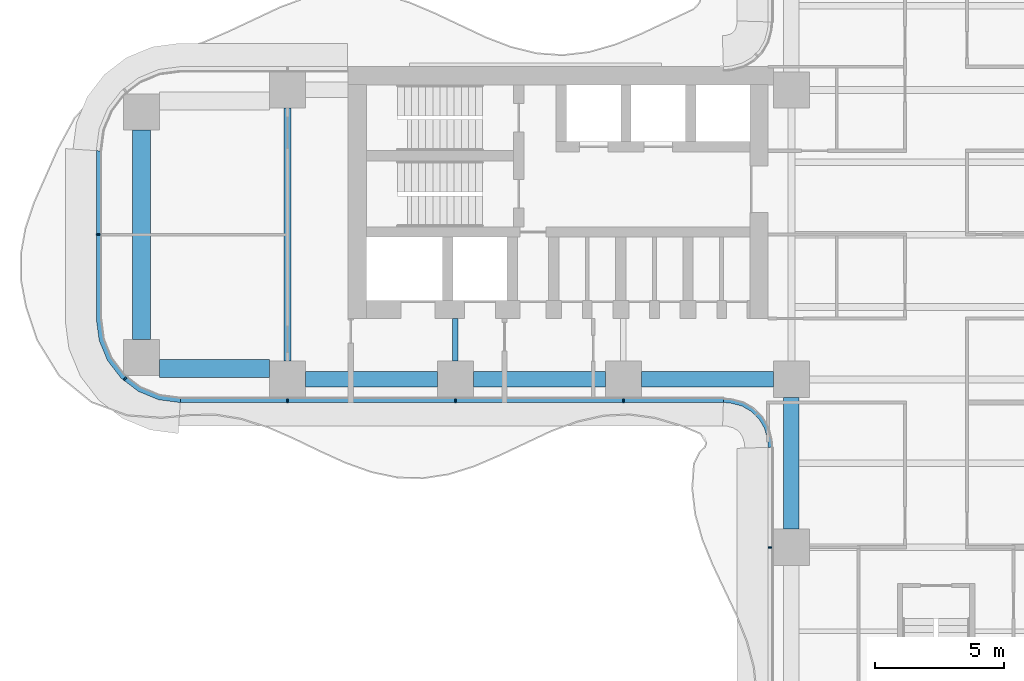
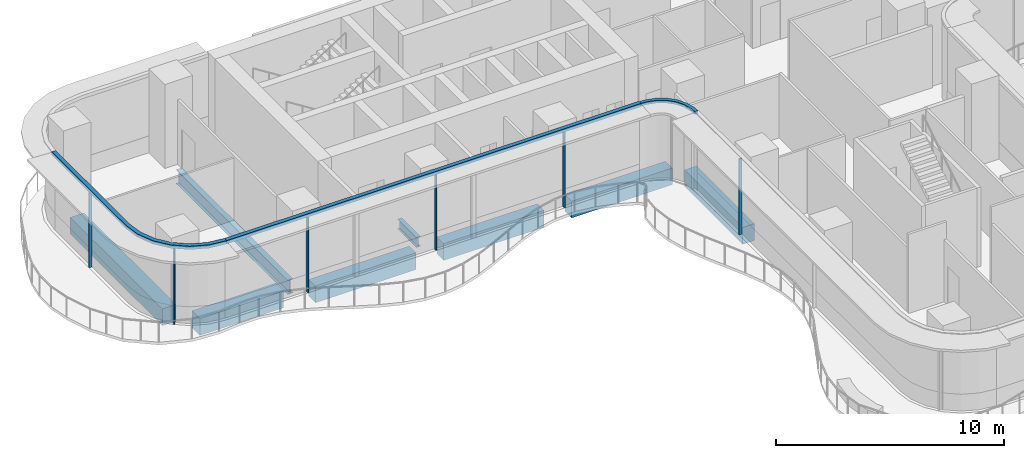
# One storey, part 3 of 23: 9 members, 8 beams, 4 elements without a shape of their own.
"""IFC4 building model written with IfcOpenShell, lengths in metres."""

from ifc_helpers import new_model, si_unit, direction, frame, origin, origin_2d, place, context, subcontext, project, spatial, polyline, rectangle, i_section, outline, extrude, source, transform, mapped, material, layer, layer_set, material_profile, profile_set, type_object, element, aggregate, save


model = new_model("IFC4")

# Units and contexts
model_context = context("Model", 3, precision=1e-05, world=origin(), true_north=direction((0.0, 1.0)))
body_context = subcontext(model_context, "Body", "Model", "MODEL_VIEW")
ifc_project = project(units=[si_unit("LENGTHUNIT", "METRE"), si_unit("AREAUNIT", "SQUARE_METRE"), si_unit("VOLUMEUNIT", "CUBIC_METRE"), si_unit("PLANEANGLEUNIT", "RADIAN"), si_unit("MASSUNIT", "GRAM", prefix="KILO")], contexts=[model_context])

# Site, building, storey
site_placement = place(None, origin())
site = spatial("IfcSite", under=ifc_project, at=site_placement, CompositionType="ELEMENT")
building_placement = place(site_placement, origin())
building = spatial("IfcBuilding", under=site, at=building_placement, Name="Trellis Farm Tower", CompositionType="ELEMENT")
storey_placement = place(building_placement, frame((0.0, 0.0, 83.5)))
storey = spatial("IfcBuildingStorey", under=building, at=storey_placement, Name="L17", CompositionType="ELEMENT", Elevation=83.5)

# Beams
ifc_material_1 = material(Name="Concrete C60/75", Category="concrete")
ifc_material_profile_1 = material_profile(ifc_material_1, rectangle(XDim=0.60009765625, YDim=0.89990234375, at=origin_2d()), Name="RC spandrel beam 600x900 C60/75")
ifc_profile_set_1 = profile_set([ifc_material_profile_1], Name="Concrete C60/75")
beam_type_1 = type_object("IfcBeamType", Name="RC spandrel beam 600x900 C60/75", PredefinedType="SPANDREL", material=ifc_profile_set_1)
shared_shape_1 = source(origin(), body_context, "Body", "SweptSolid", [
    extrude(rectangle(XDim=0.60009765625, YDim=0.89990234375, at=origin_2d()), origin(), (0.0, 0.0, 1.0), 5.099853515625),
])
for number, where, z_axis, x_axis, name in (
    (1, (-24.39990234375, -5.60009765625, -0.699951171875), (1.0, 0.0, 0.0), (0.0, 1.0, 0.0), "Girder"),
    (2, (-17.89990234375, -5.60009765625, -0.699951171875), (1.0, 0.0, 0.0), (0.0, 1.0, 0.0), "Girder"),
    (3, (-11.39990234375, -5.60009765625, -0.699951171875), (1.0, 0.0, 0.0), (0.0, 1.0, 0.0), "Girder"),
    (4, (-5.60009765625, -11.39990234375, -0.699951171875), (0.0, 1.0, 0.0), (-1.0, 0.0, 0.0), "Girder"),
):
    element("IfcBeam", number, at=place(storey_placement, frame(where, z_axis=z_axis, x_axis=x_axis)), inside=storey, type_object=beam_type_1, Name=name, PredefinedType="SPANDREL", context=body_context, shape_type="MappedRepresentation", body=[
        mapped(shared_shape_1, transform((0.0, 0.0, 0.0))),
    ])
ifc_material_2 = material(Name="Steel S355", Category="steel")
ifc_material_profile_2 = material_profile(ifc_material_2, i_section(OverallWidth=0.2666015625, OverallDepth=0.76220703125, WebThickness=0.014404296875, FlangeThickness=0.021484375, FilletRadius=0.0166015625, at=origin_2d()), Name="UB 762x267x173")
ifc_profile_set_2 = profile_set([ifc_material_profile_2], Name="Steel S355")
beam_type_2 = type_object("IfcBeamType", Name="UB 762x267x173", PredefinedType="BEAM", material=ifc_profile_set_2)
shared_shape_2 = source(origin(), body_context, "Body", "SweptSolid", [
    extrude(i_section(OverallWidth=0.2666015625, OverallDepth=0.76220703125, WebThickness=0.014404296875, FlangeThickness=0.021484375, FilletRadius=0.0166015625, at=origin_2d()), origin(), (0.0, 0.0, 1.0), 9.7998046875),
])
beam_1_placement = place(storey_placement, frame((-25.10009765625, -4.89990234375, -0.631103515625), z_axis=(0.0, 1.0, 0.0), x_axis=(-1.0, 0.0, 0.0)))
element("IfcBeam", 5, at=beam_1_placement, inside=storey, type_object=beam_type_2, Name="Girder", PredefinedType="BEAM", context=body_context, shape_type="MappedRepresentation", body=[
    mapped(shared_shape_2, transform((0.0, 0.0, 0.0))),
])
ifc_material_profile_3 = material_profile(ifc_material_1, rectangle(XDim=0.699951171875, YDim=0.89990234375, at=origin_2d()), Name="RC spandrel beam 700x900 C60/75")
ifc_profile_set_3 = profile_set([ifc_material_profile_3], Name="Concrete C60/75")
beam_type_3 = type_object("IfcBeamType", Name="RC spandrel beam 700x900 C60/75", PredefinedType="SPANDREL", material=ifc_profile_set_3)
shared_shape_3 = source(origin(), body_context, "Body", "SweptSolid", [
    extrude(rectangle(XDim=0.699951171875, YDim=0.89990234375, at=origin_2d()), origin(), (0.0, 0.0, 1.0), 4.25),
])
beam_2_placement = place(storey_placement, frame((-30.050048828125, -5.175048828125, -0.699951171875), z_axis=(1.0, 0.0, 0.0), x_axis=(0.0, 1.0, 0.0)))
element("IfcBeam", 6, at=beam_2_placement, inside=storey, type_object=beam_type_3, Name="Girder", PredefinedType="SPANDREL", context=body_context, shape_type="MappedRepresentation", body=[
    mapped(shared_shape_3, transform((0.0, 0.0, 0.0))),
])
shared_shape_4 = source(origin(), body_context, "Body", "SweptSolid", [
    extrude(rectangle(XDim=0.699951171875, YDim=0.89990234375, at=origin_2d()), origin(), (0.0, 0.0, 1.0), 8.10009765625),
])
beam_3_placement = place(storey_placement, frame((-30.75, -4.050048828125, -0.699951171875), z_axis=(0.0, 1.0, 0.0), x_axis=(-1.0, 0.0, 0.0)))
element("IfcBeam", 7, at=beam_3_placement, inside=storey, type_object=beam_type_3, Name="Girder", PredefinedType="SPANDREL", context=body_context, shape_type="MappedRepresentation", body=[
    mapped(shared_shape_4, transform((0.0, 0.0, 0.0))),
])
ifc_material_profile_4 = material_profile(ifc_material_2, i_section(OverallWidth=0.209228515625, OverallDepth=0.533203125, WebThickness=0.010009765625, FlangeThickness=0.015625, FilletRadius=0.0126953125, at=origin_2d()), Name="UB 533x210x92")
ifc_profile_set_4 = profile_set([ifc_material_profile_4], Name="Steel S355")
beam_type_4 = type_object("IfcBeamType", Name="UB 533x210x92", PredefinedType="BEAM", material=ifc_profile_set_4)
shared_shape_5 = source(origin(), body_context, "Body", "SweptSolid", [
    extrude(i_section(OverallWidth=0.209228515625, OverallDepth=0.533203125, WebThickness=0.010009765625, FlangeThickness=0.015625, FilletRadius=0.0126953125, at=origin_2d()), origin(), (0.0, 0.0, 1.0), 1.64990234375),
])
beam_4_placement = place(storey_placement, frame((-18.60009765625, -4.89990234375, -0.5166015625), z_axis=(0.0, 1.0, 0.0), x_axis=(-1.0, 0.0, 0.0)))
element("IfcBeam", 8, at=beam_4_placement, inside=storey, type_object=beam_type_4, Name="Girder", PredefinedType="BEAM", context=body_context, shape_type="MappedRepresentation", body=[
    mapped(shared_shape_5, transform((0.0, 0.0, 0.0))),
])

# Curtain wall, members
ifc_material_3 = material(Name="Aluminium and glass curtain wall", Category="aluminium")
ifc_layer_1 = layer(ifc_material_3, 0.18994140625)
ifc_layer_set_1 = layer_set([ifc_layer_1], Name="RIBBON CURTAIN WALL CW1")
curtain_wall_type_1 = type_object("IfcCurtainWallType", Name="RIBBON CURTAIN WALL CW1", PredefinedType="NOTDEFINED", material=ifc_layer_set_1)
placement_1 = place(storey_placement, origin())
curtain_wall_1 = element("IfcCurtainWall", 9, at=placement_1, inside=storey, type_object=curtain_wall_type_1, Name="CW1 001", PredefinedType="NOTDEFINED")
ifc_material_4 = material(Name="Aluminium extrusion 6063-T6", Category="aluminium")
ifc_material_profile_5 = material_profile(ifc_material_4, rectangle(XDim=0.06005859375, YDim=0.14990234375, at=origin_2d()), Name="MULLION 60x150")
ifc_profile_set_5 = profile_set([ifc_material_profile_5], Name="Aluminium extrusion 6063-T6")
member_type_1 = type_object("IfcMemberType", Name="CW1 MULLION 60x150", PredefinedType="MULLION", material=ifc_profile_set_5)
shared_shape_6 = source(origin(), body_context, "Body", "SweptSolid", [
    extrude(rectangle(XDim=0.06005859375, YDim=0.14990234375, at=origin_2d()), origin(), (0.0, 0.0, 1.0), 4.070068359375),
])
member_1_placement = place(storey_placement, frame((-25.10009765625, -6.425048828125, 0.0), z_axis=(0.0, 0.0, 1.0), x_axis=(1.0, 0.0, 0.0)))
member_1 = element("IfcMember", 10, at=member_1_placement, type_object=member_type_1, Name="MU1 001-01", PredefinedType="MULLION", context=body_context, shape_type="MappedRepresentation", body=[
    mapped(shared_shape_6, transform((0.0, 0.0, 0.0))),
])
member_2_placement = place(storey_placement, frame((-18.60009765625, -6.425048828125, 0.0), z_axis=(0.0, 0.0, 1.0), x_axis=(1.0, 0.0, 0.0)))
member_2 = element("IfcMember", 11, at=member_2_placement, type_object=member_type_1, Name="MU1 001-02", PredefinedType="MULLION", context=body_context, shape_type="MappedRepresentation", body=[
    mapped(shared_shape_6, transform((0.0, 0.0, 0.0))),
])
member_3_placement = place(storey_placement, frame((-12.10009765625, -6.425048828125, 0.0), z_axis=(0.0, 0.0, 1.0), x_axis=(1.0, 0.0, 0.0)))
member_3 = element("IfcMember", 12, at=member_3_placement, type_object=member_type_1, Name="MU1 001-03", PredefinedType="MULLION", context=body_context, shape_type="MappedRepresentation", body=[
    mapped(shared_shape_6, transform((0.0, 0.0, 0.0))),
])

# Curtain wall, member
curtain_wall_2 = element("IfcCurtainWall", 13, at=placement_1, inside=storey, type_object=curtain_wall_type_1, Name="CW1 002", PredefinedType="NOTDEFINED")
member_4_placement = place(storey_placement, frame((-6.425048828125, -12.10009765625, 0.0), z_axis=(0.0, 0.0, 1.0), x_axis=(0.0, -1.0, 0.0)))
member_4 = element("IfcMember", 14, at=member_4_placement, type_object=member_type_1, Name="MU1 002-01", PredefinedType="MULLION", context=body_context, shape_type="MappedRepresentation", body=[
    mapped(shared_shape_6, transform((0.0, 0.0, 0.0))),
])
aggregate(curtain_wall_2, [member_4])

# Curtain wall, members
curtain_wall_3 = element("IfcCurtainWall", 15, at=placement_1, inside=storey, type_object=curtain_wall_type_1, Name="CW1 013", PredefinedType="NOTDEFINED")
member_5_placement = place(storey_placement, frame((-32.425048828125, 0.0, 0.0), z_axis=(0.0, 0.0, 1.0), x_axis=(0.0, -1.0, 0.0)))
member_5 = element("IfcMember", 16, at=member_5_placement, type_object=member_type_1, Name="MU1 013-01", PredefinedType="MULLION", context=body_context, shape_type="MappedRepresentation", body=[
    mapped(shared_shape_6, transform((0.0, 0.0, 0.0))),
])
member_6_placement = place(storey_placement, frame((-31.385498046875, -5.578369140625, 0.0), z_axis=(0.0, 0.0, 1.0), x_axis=(0.793353340291, -0.608761429009, 0.0)))
member_6 = element("IfcMember", 17, at=member_6_placement, type_object=member_type_1, Name="MU1 013-02", PredefinedType="MULLION", context=body_context, shape_type="MappedRepresentation", body=[
    mapped(shared_shape_6, transform((0.0, 0.0, 0.0))),
])

# Member
ifc_layer_2 = layer(ifc_material_4, 0.199951171875)
ifc_layer_set_2 = layer_set([ifc_layer_2], Name="Aluminium extrusion 6063-T6")
member_type_2 = type_object("IfcMemberType", Name="CW1 TRANSOM 200x180", PredefinedType="USERDEFINED", material=ifc_layer_set_2)
shared_shape_7 = source(origin(), body_context, "Body", "SweptSolid", [
    extrude(outline(polyline([(-29.25, -6.5), (-8.2314453125, -6.5), (-8.224853515625, -6.300048828125), (-29.23681640625, -6.300048828125), (-29.25, -6.5)])), origin(), (0.0, 0.0, 1.0), 0.179931640625),
])
placement_2 = place(storey_placement, frame((0.0, 0.0, 4.070068359375)))
member_7 = element("IfcMember", 18, at=placement_2, type_object=member_type_2, Name="TR1 001", ObjectType="TRANSOM", PredefinedType="USERDEFINED", context=body_context, shape_type="MappedRepresentation", body=[
    mapped(shared_shape_7, transform((0.0, 0.0, 0.0))),
])

aggregate(curtain_wall_1, [member_1, member_2, member_3, member_7])

# Curtain wall, member
ifc_layer_3 = layer(ifc_material_3, 0.166015625)
ifc_layer_set_3 = layer_set([ifc_layer_3], Name="WINTER GARDEN CURTAIN WALL CW3")
curtain_wall_type_2 = type_object("IfcCurtainWallType", Name="WINTER GARDEN CURTAIN WALL CW3", PredefinedType="NOTDEFINED", material=ifc_layer_set_3)
curtain_wall_4 = element("IfcCurtainWall", 19, at=placement_1, inside=storey, type_object=curtain_wall_type_2, Name="CW3 001", PredefinedType="NOTDEFINED")
ifc_layer_4 = layer(ifc_material_4, 0.169921875)
ifc_layer_set_4 = layer_set([ifc_layer_4], Name="Aluminium extrusion 6063-T6")
member_type_3 = type_object("IfcMemberType", Name="CW3 TRANSOM 170x150", PredefinedType="USERDEFINED", material=ifc_layer_set_4)
shared_shape_8 = source(origin(), body_context, "Body", "SweptSolid", [
    extrude(outline(polyline([(-8.2314453125, -6.5), (-8.01953125, -6.513916015625), (-7.91552734375, -6.527587890625), (-7.508544921875, -6.63671875), (-7.144287109375, -6.846923828125), (-6.846923828125, -7.144287109375), (-6.63671875, -7.508544921875), (-6.527587890625, -7.91552734375), (-6.513916015625, -8.01953125), (-6.5, -8.2314453125), (-6.330078125, -8.225830078125), (-6.3447265625, -8.0029296875), (-6.360595703125, -7.88232421875), (-6.478271484375, -7.44287109375), (-6.7109375, -7.0400390625), (-7.0400390625, -6.7109375), (-7.44287109375, -6.478271484375), (-7.88232421875, -6.360595703125), (-8.0029296875, -6.3447265625), (-8.225830078125, -6.330078125), (-8.2314453125, -6.5)])), origin(), (0.0, 0.0, 1.0), 0.14990234375),
])
member_8_placement = place(storey_placement, frame((0.0, 0.0, 4.10009765625)))
member_8 = element("IfcMember", 20, at=member_8_placement, type_object=member_type_3, Name="TR3 001", ObjectType="TRANSOM", PredefinedType="USERDEFINED", context=body_context, shape_type="MappedRepresentation", body=[
    mapped(shared_shape_8, transform((0.0, 0.0, 0.0))),
])
aggregate(curtain_wall_4, [member_8])

# Member
shared_shape_9 = source(origin(), body_context, "Body", "SweptSolid", [
    extrude(outline(polyline([(-32.5, 3.25), (-32.5, -3.25), (-32.38916015625, -4.091064453125), (-32.064697265625, -4.875), (-31.548095703125, -5.548095703125), (-30.875, -6.064697265625), (-30.091064453125, -6.38916015625), (-29.25, -6.5), (-29.23681640625, -6.300048828125), (-30.0390625, -6.1943359375), (-30.774169921875, -5.889892578125), (-31.405517578125, -5.405517578125), (-31.889892578125, -4.774169921875), (-32.1943359375, -4.0390625), (-32.300048828125, -3.23681640625), (-32.300048828125, 3.23681640625), (-32.5, 3.25)])), origin(), (0.0, 0.0, 1.0), 0.179931640625),
])
member_9 = element("IfcMember", 21, at=placement_2, type_object=member_type_2, Name="TR1 013", ObjectType="TRANSOM", PredefinedType="USERDEFINED", context=body_context, shape_type="MappedRepresentation", body=[
    mapped(shared_shape_9, transform((0.0, 0.0, 0.0))),
])

aggregate(curtain_wall_3, [member_5, member_6, member_9])

save(model, "model.ifc")
